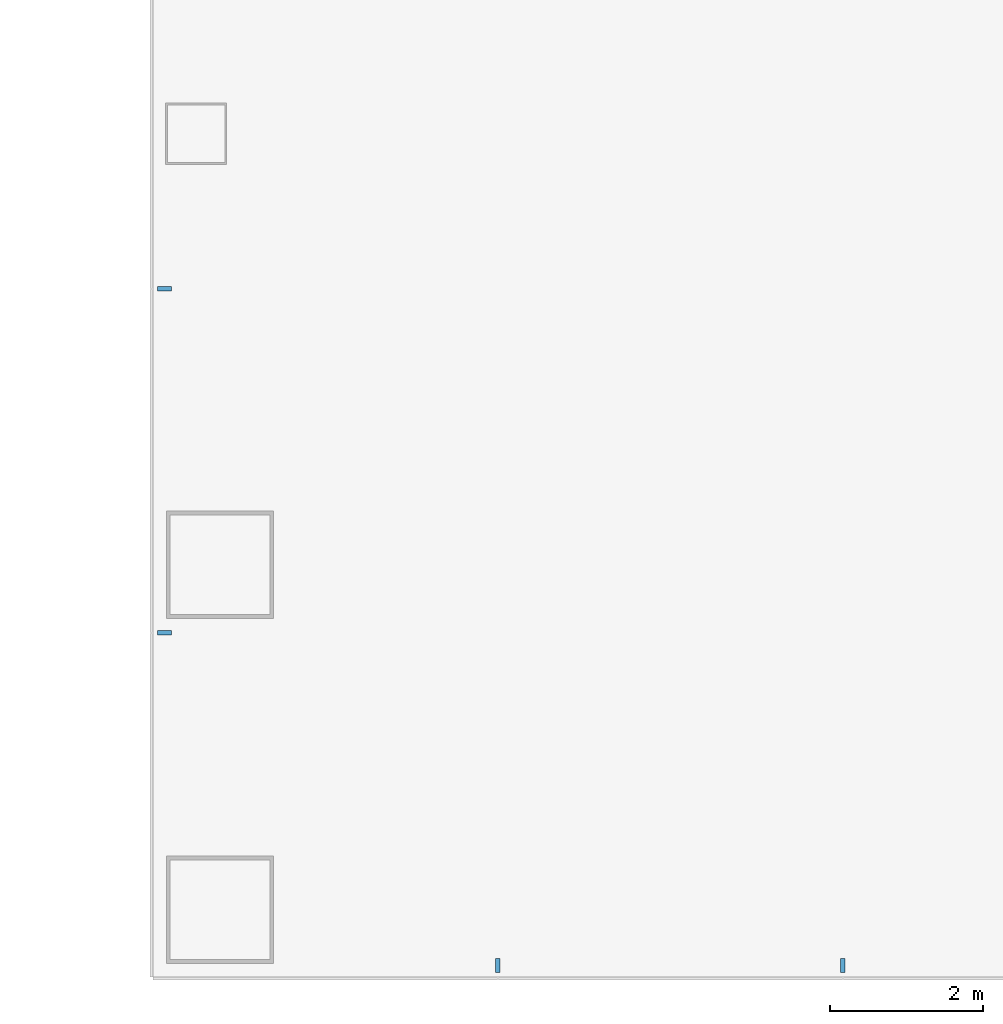
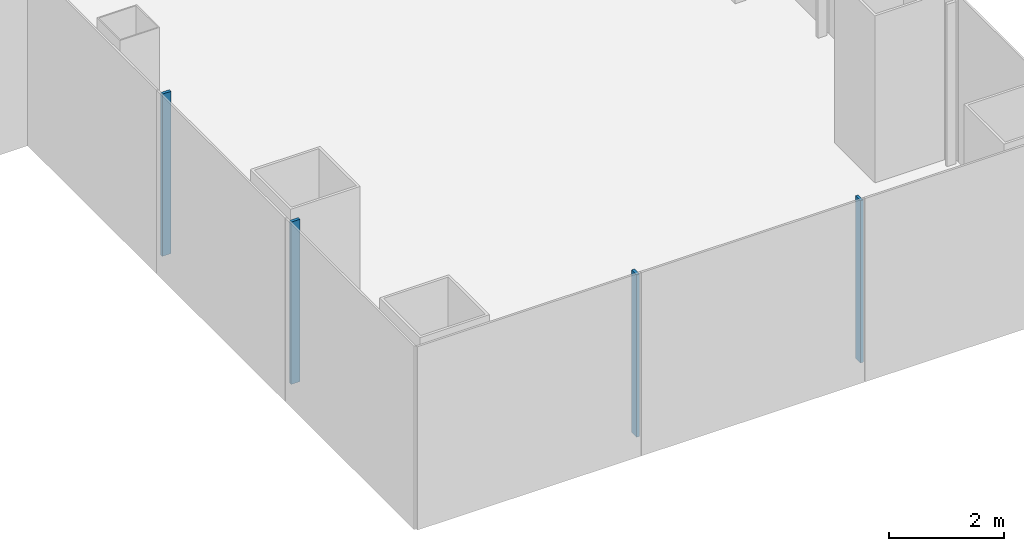
# One storey, part 3 of 21: 4 members, 2 elements without a shape of their own.
"""IFC4 building model written with IfcOpenShell, lengths in metres."""

from ifc_helpers import new_model, si_unit, direction, frame, origin, origin_2d, place, context, subcontext, project, spatial, rectangle, extrude, material, layer, layer_set, material_profile, profile_set, type_object, element, aggregate, save


model = new_model("IFC4")

# Units and contexts
model_context = context("Model", 3, precision=1e-05, world=origin(), true_north=direction((0.0, 1.0)))
body_context = subcontext(model_context, "Body", "Model", "MODEL_VIEW")
ifc_project = project(units=[si_unit("LENGTHUNIT", "METRE"), si_unit("AREAUNIT", "SQUARE_METRE"), si_unit("VOLUMEUNIT", "CUBIC_METRE"), si_unit("PLANEANGLEUNIT", "RADIAN"), si_unit("MASSUNIT", "GRAM", prefix="KILO")], contexts=[model_context])

# Site, building, storey
site_placement = place(None, origin())
site = spatial("IfcSite", under=ifc_project, at=site_placement, CompositionType="ELEMENT")
building_placement = place(site_placement, origin())
building = spatial("IfcBuilding", under=site, at=building_placement, Name="Shamsa Quay Exchange Towers", CompositionType="ELEMENT")
storey_placement = place(building_placement, frame((0.0, 0.0, 49.800048828125)))
storey = spatial("IfcBuildingStorey", under=building, at=storey_placement, Name="L10", CompositionType="ELEMENT", Elevation=49.800048828125)

# Curtain wall, members
ifc_material = material(Name="Aluminium EN AW-6063 T6, black anodised", Category="aluminium")
ifc_layer = layer(ifc_material, 0.280029296875)
ifc_layer_set = layer_set([ifc_layer], Name="CW-1 UNITISED VISION GLASS")
curtain_wall_type = type_object("IfcCurtainWallType", Name="CW-1 UNITISED VISION GLASS", PredefinedType="NOTDEFINED", material=ifc_layer_set)
curtain_wall_1_placement = place(storey_placement, origin())
curtain_wall_1 = element("IfcCurtainWall", 1, at=curtain_wall_1_placement, inside=storey, type_object=curtain_wall_type, Name="CW1 T1-FLK-V-W L10", PredefinedType="NOTDEFINED")
ifc_material_profile = material_profile(ifc_material, rectangle(XDim=0.179931640625, YDim=0.06005859375, at=origin_2d()), Name="MU60x180")
ifc_profile_set = profile_set([ifc_material_profile], Name="Aluminium EN AW-6063 T6, black anodised")
member_type = type_object("IfcMemberType", Name="CW1 MULLION 60x180", PredefinedType="MULLION", material=ifc_profile_set)
member_1_placement = place(storey_placement, frame((-40.35009765625, -15.775390625, 0.0)))
member_1 = element("IfcMember", 2, at=member_1_placement, type_object=member_type, Name="CW1 mullion", PredefinedType="MULLION", context=body_context, shape_type="SweptSolid", body=[
    extrude(rectangle(XDim=0.179931640625, YDim=0.06005859375, at=origin_2d()), origin(), (0.0, 0.0, 1.0), 3.449951171875),
])
member_2_placement = place(storey_placement, frame((-40.35009765625, -20.2626953125, 0.0)))
member_2 = element("IfcMember", 3, at=member_2_placement, type_object=member_type, Name="CW1 mullion", PredefinedType="MULLION", context=body_context, shape_type="SweptSolid", body=[
    extrude(rectangle(XDim=0.179931640625, YDim=0.06005859375, at=origin_2d()), origin(), (0.0, 0.0, 1.0), 3.449951171875),
])
aggregate(curtain_wall_1, [member_1, member_2])

curtain_wall_2_placement = place(storey_placement, origin())
curtain_wall_2 = element("IfcCurtainWall", 4, at=curtain_wall_2_placement, inside=storey, type_object=curtain_wall_type, Name="CW1 T1-END-V- L10", PredefinedType="NOTDEFINED")
member_3_placement = place(storey_placement, frame((-36.0, -24.60009765625, 0.0), z_axis=(0.0, 0.0, 1.0), x_axis=(0.0, 1.0, 0.0)))
member_3 = element("IfcMember", 5, at=member_3_placement, type_object=member_type, Name="CW1 mullion", PredefinedType="MULLION", context=body_context, shape_type="SweptSolid", body=[
    extrude(rectangle(XDim=0.179931640625, YDim=0.06005859375, at=origin_2d()), origin(), (0.0, 0.0, 1.0), 3.449951171875),
])
member_4_placement = place(storey_placement, frame((-31.5, -24.60009765625, 0.0), z_axis=(0.0, 0.0, 1.0), x_axis=(0.0, 1.0, 0.0)))
member_4 = element("IfcMember", 6, at=member_4_placement, type_object=member_type, Name="CW1 mullion", PredefinedType="MULLION", context=body_context, shape_type="SweptSolid", body=[
    extrude(rectangle(XDim=0.179931640625, YDim=0.06005859375, at=origin_2d()), origin(), (0.0, 0.0, 1.0), 3.449951171875),
])
aggregate(curtain_wall_2, [member_3, member_4])

save(model, "model.ifc")
